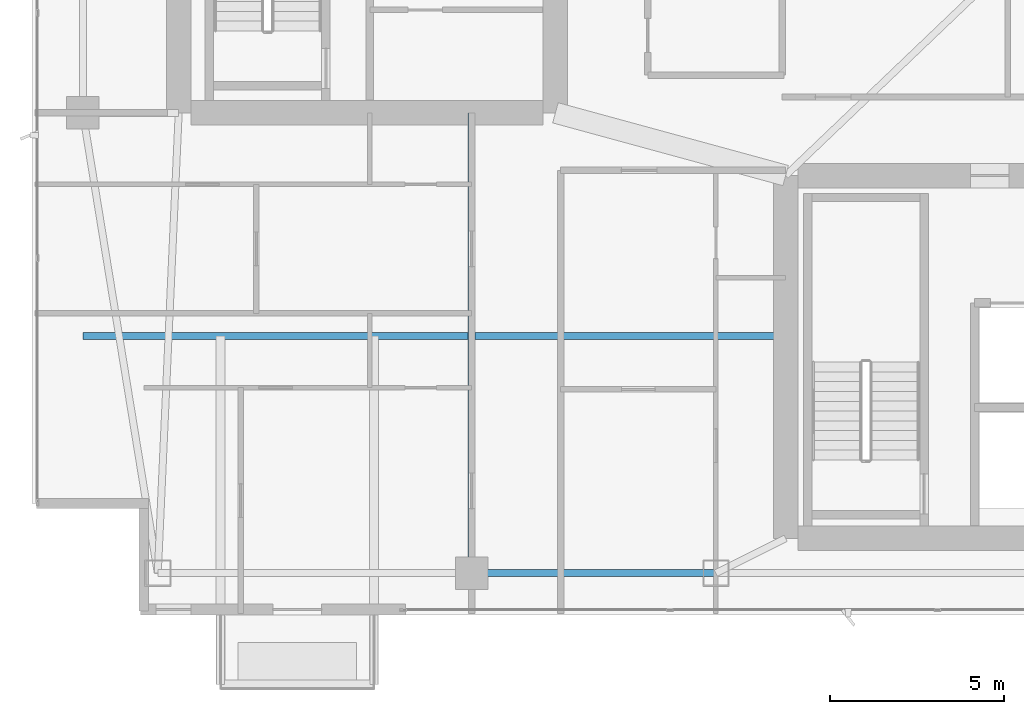
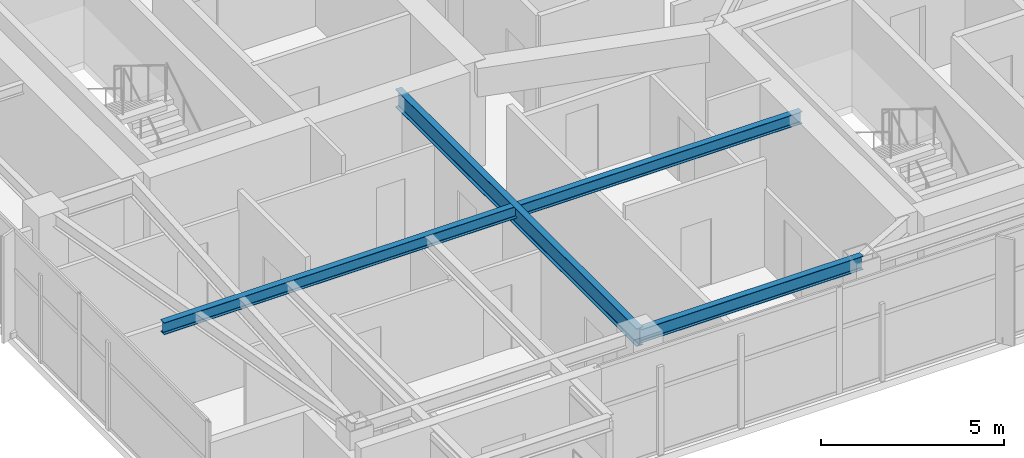
# One storey, part 5 of 29: 3 beams.
"""IFC4 building model written with IfcOpenShell, lengths in metres."""

from ifc_helpers import new_model, si_unit, direction, frame, origin, origin_2d, place, context, subcontext, project, spatial, i_section, extrude, material, material_profile, profile_set, type_object, element, save


model = new_model("IFC4")

# Units and contexts
model_context = context("Model", 3, precision=1e-05, world=origin(), true_north=direction((0.0, 1.0)))
body_context = subcontext(model_context, "Body", "Model", "MODEL_VIEW")
ifc_project = project(units=[si_unit("LENGTHUNIT", "METRE"), si_unit("AREAUNIT", "SQUARE_METRE"), si_unit("VOLUMEUNIT", "CUBIC_METRE"), si_unit("PLANEANGLEUNIT", "RADIAN"), si_unit("MASSUNIT", "GRAM", prefix="KILO")], contexts=[model_context])

# Site, building, storey
site_placement = place(None, origin())
site = spatial("IfcSite", under=ifc_project, at=site_placement, CompositionType="ELEMENT")
building_placement = place(site_placement, origin())
building = spatial("IfcBuilding", under=site, at=building_placement, Name="Calvorn Quay Hotel", CompositionType="ELEMENT")
storey_placement = place(building_placement, frame((0.0, 0.0, 211.0)))
storey = spatial("IfcBuildingStorey", under=building, at=storey_placement, Name="L52", CompositionType="ELEMENT", Elevation=211.0)

# Beams
ifc_material_1 = material(Name="Steel Q355B", Category="steel")
ifc_material_profile_1 = material_profile(ifc_material_1, i_section(OverallWidth=0.199951171875, OverallDepth=0.60009765625, WebThickness=0.010986328125, FlangeThickness=0.01708984375, FilletRadius=0.01806640625, at=origin_2d()), Name="HN600x200x11x17")
ifc_profile_set_1 = profile_set([ifc_material_profile_1], Name="Steel Q355B")
beam_type_1 = type_object("IfcBeamType", Name="BM-GIRD-TYP", PredefinedType="BEAM", material=ifc_profile_set_1)
beam_1_placement = place(storey_placement, frame((12.60009765625, 3.60009765625, 3.239990234375), z_axis=(0.0, 1.0, 0.0), x_axis=(-1.0, 0.0, 0.0)))
element("IfcBeam", 1, at=beam_1_placement, inside=storey, type_object=beam_type_1, Name="Beam BG-L52-S1", PredefinedType="BEAM", context=body_context, shape_type="SweptSolid", body=[
    extrude(i_section(OverallWidth=0.199951171875, OverallDepth=0.60009765625, WebThickness=0.010986328125, FlangeThickness=0.01708984375, FilletRadius=0.01806640625, at=origin_2d()), origin(), (0.0, 0.0, 1.0), 13.199951171875),
])
ifc_material_2 = material(Name="Steel Q355B", Category="steel")
ifc_material_profile_2 = material_profile(ifc_material_2, i_section(OverallWidth=0.199951171875, OverallDepth=0.39990234375, WebThickness=0.008056640625, FlangeThickness=0.012939453125, FilletRadius=0.01611328125, at=origin_2d()), Name="HN400x200x8x13")
ifc_profile_set_2 = profile_set([ifc_material_profile_2], Name="Steel Q355B")
beam_type_2 = type_object("IfcBeamType", Name="BM-JOIST-TYP", PredefinedType="JOIST", material=ifc_profile_set_2)
beam_2_placement = place(storey_placement, frame((1.449951171875, 10.39990234375, 3.340087890625), z_axis=(1.0, 0.0, 0.0), x_axis=(0.0, 1.0, 0.0)))
element("IfcBeam", 2, at=beam_2_placement, inside=storey, type_object=beam_type_2, Name="Beam BJ-L52-W1", PredefinedType="JOIST", context=body_context, shape_type="SweptSolid", body=[
    extrude(i_section(OverallWidth=0.199951171875, OverallDepth=0.39990234375, WebThickness=0.008056640625, FlangeThickness=0.012939453125, FilletRadius=0.01611328125, at=origin_2d()), origin(), (0.0, 0.0, 1.0), 20.150146484375),
])
ifc_material_3 = material(Name="Steel Q355B", Category="steel")
ifc_material_profile_3 = material_profile(ifc_material_3, i_section(OverallWidth=0.199951171875, OverallDepth=0.449951171875, WebThickness=0.009033203125, FlangeThickness=0.013916015625, FilletRadius=0.01611328125, at=origin_2d()), Name="HN450x200x9x14")
ifc_profile_set_3 = profile_set([ifc_material_profile_3], Name="Steel Q355B")
beam_type_3 = type_object("IfcBeamType", Name="BM-SPANDREL-Z3", PredefinedType="SPANDREL", material=ifc_profile_set_3)
beam_3_placement = place(storey_placement, frame((12.60009765625, 3.60009765625, 3.31494140625), z_axis=(1.0, 0.0, 0.0), x_axis=(0.0, 1.0, 0.0)))
element("IfcBeam", 3, at=beam_3_placement, inside=storey, type_object=beam_type_3, Name="Beam BSP-L52-S2", PredefinedType="SPANDREL", context=body_context, shape_type="SweptSolid", body=[
    extrude(i_section(OverallWidth=0.199951171875, OverallDepth=0.449951171875, WebThickness=0.009033203125, FlangeThickness=0.013916015625, FilletRadius=0.01611328125, at=origin_2d()), origin(), (0.0, 0.0, 1.0), 7.0),
])

save(model, "model.ifc")
